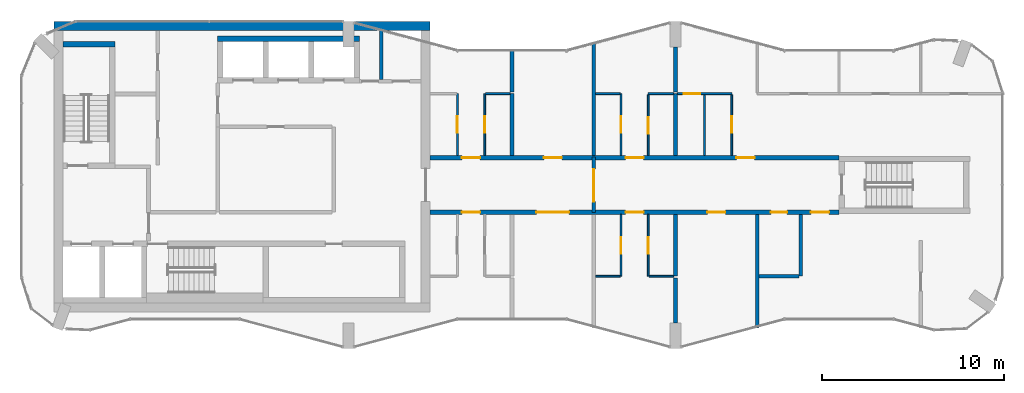
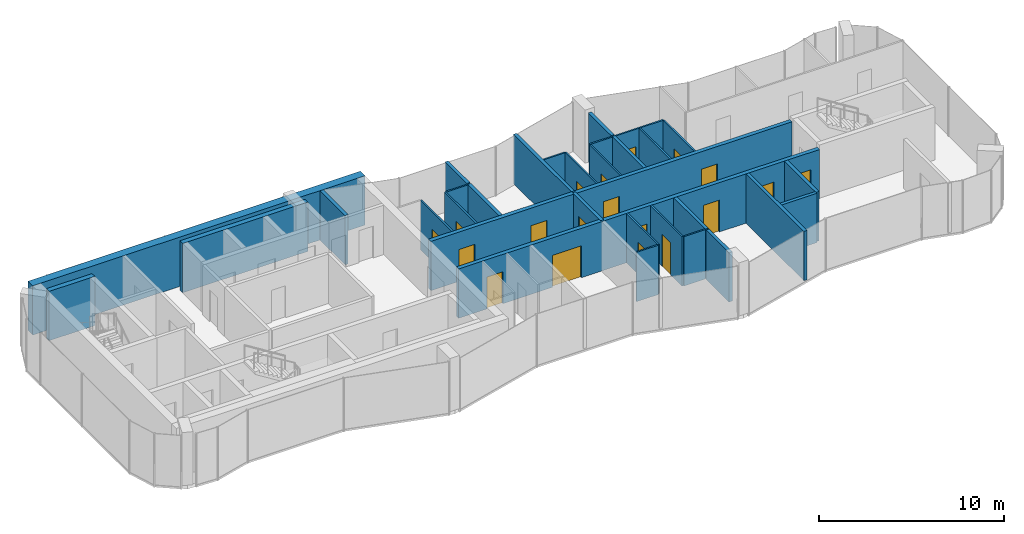
# One storey, part 8 of 10: 31 walls, 19 doors, 19 openings.
"""IFC4 building model written with IfcOpenShell, lengths in metres."""

from ifc_helpers import new_model, si_unit, direction, frame, frame_2d, origin, place, context, subcontext, project, spatial, rectangle, extrude, material, layer, layer_set, type_object, element, fill, save


model = new_model("IFC4")

# Units and contexts
model_context = context("Model", 3, precision=1e-05, world=origin(), true_north=direction((0.0, 1.0)))
body_context = subcontext(model_context, "Body", "Model", "MODEL_VIEW")
ifc_project = project(units=[si_unit("LENGTHUNIT", "METRE"), si_unit("AREAUNIT", "SQUARE_METRE"), si_unit("VOLUMEUNIT", "CUBIC_METRE"), si_unit("PLANEANGLEUNIT", "RADIAN"), si_unit("MASSUNIT", "GRAM", prefix="KILO")], contexts=[model_context])

# Site, building, storey
site_placement = place(None, origin())
site = spatial("IfcSite", under=ifc_project, at=site_placement, CompositionType="ELEMENT")
building_placement = place(site_placement, origin())
building = spatial("IfcBuilding", under=site, at=building_placement, Name="Plateau Cross Towers", CompositionType="ELEMENT")
storey_placement = place(building_placement, frame((0.0, 0.0, 252.89990234375)))
storey = spatial("IfcBuildingStorey", under=building, at=storey_placement, Name="L66", CompositionType="ELEMENT", Elevation=252.89990234375)

# Walls
ifc_material_1 = material(Name="Concrete block, plastered both sides", Category="concrete")
ifc_layer_1 = layer(ifc_material_1, 0.199951171875)
ifc_layer_set_1 = layer_set([ifc_layer_1], Name="Concrete block, plastered both sides")
wall_type_1 = type_object("IfcWallType", Name="Core partition 200", PredefinedType="PARTITIONING", material=ifc_layer_set_1)
wall_1_placement = place(storey_placement, frame((19.800048828125, 14.800048828125, 0.0), z_axis=(0.0, 0.0, 1.0), x_axis=(0.0, 1.0, 0.0)))
element("IfcWall", 1, at=wall_1_placement, inside=storey, type_object=wall_type_1, Name="Core partition", PredefinedType="PARTITIONING", context=body_context, shape_type="SweptSolid", body=[
    extrude(rectangle(XDim=2.699951171875, YDim=0.199951171875, at=frame_2d((1.35009765625, 0.0))), origin(), (0.0, 0.0, 1.0), 3.25),
])
ifc_material_2 = material(Name="Concrete C60/75", Category="concrete")
ifc_layer_2 = layer(ifc_material_2, 0.300048828125)
ifc_layer_set_2 = layer_set([ifc_layer_2], Name="Concrete C60/75")
wall_type_2 = type_object("IfcWallType", Name="Core shaft wall 300", PredefinedType="SHEAR", material=ifc_layer_set_2)
wall_2_placement = place(storey_placement, frame((2.300048828125, 16.75, 0.0), z_axis=(0.0, 0.0, 1.0), x_axis=(1.0, 0.0, 0.0)))
element("IfcWall", 2, at=wall_2_placement, inside=storey, type_object=wall_type_2, Name="A-st1-N@L66", PredefinedType="SHEAR", context=body_context, shape_type="SweptSolid", body=[
    extrude(rectangle(XDim=2.849853515625, YDim=0.300048828125, at=frame_2d((1.4248046875, 0.0))), origin(), (0.0, 0.0, 1.0), 3.25),
])
wall_3_placement = place(storey_placement, frame((10.800048828125, 17.050048828125, 0.0), z_axis=(0.0, 0.0, 1.0), x_axis=(1.0, 0.0, 0.0)))
element("IfcWall", 3, at=wall_3_placement, inside=storey, type_object=wall_type_2, Name="A-nb-back@L66", PredefinedType="SHEAR", context=body_context, shape_type="SweptSolid", body=[
    extrude(rectangle(XDim=7.800048828125, YDim=0.300048828125, at=frame_2d((3.89990234375, 0.0))), origin(), (0.0, 0.0, 1.0), 3.25),
])
ifc_layer_3 = layer(ifc_material_2, 0.5)
ifc_layer_set_3 = layer_set([ifc_layer_3], Name="Concrete C60/75")
wall_type_3 = type_object("IfcWallType", Name="Core shell wall 500", PredefinedType="SHEAR", material=ifc_layer_set_3)
wall_4_placement = place(storey_placement, frame((1.800048828125, 17.75, 0.0), z_axis=(0.0, 0.0, 1.0), x_axis=(1.0, 0.0, 0.0)))
element("IfcWall", 4, at=wall_4_placement, inside=storey, type_object=wall_type_3, Name="A-core-N@L66", PredefinedType="SHEAR", context=body_context, shape_type="SweptSolid", body=[
    extrude(rectangle(XDim=20.699951171875, YDim=0.5, at=frame_2d((10.35009765625, 0.0))), origin(), (0.0, 0.0, 1.0), 3.25),
])

# Wall, openings, doors
ifc_layer_4 = layer(ifc_material_2, 0.25)
ifc_layer_set_4 = layer_set([ifc_layer_4], Name="Concrete C60/75")
wall_type_4 = type_object("IfcWallType", Name="Corridor wall 250", PredefinedType="SHEAR", material=ifc_layer_set_4)
wall_5_placement = place(storey_placement, frame((22.5, 7.5, 0.0), z_axis=(0.0, 0.0, 1.0), x_axis=(1.0, 0.0, 0.0)))
wall_5 = element("IfcWall", 5, at=wall_5_placement, inside=storey, type_object=wall_type_4, Name="A-cw-S1@L66", PredefinedType="SHEAR", context=body_context, shape_type="SweptSolid", body=[
    extrude(rectangle(XDim=22.5, YDim=0.25, at=frame_2d((11.25, 0.0))), origin(), (0.0, 0.0, 1.0), 3.25),
])
opening_1_placement = place(wall_5_placement, frame((1.75, 0.0, 0.0)))
opening_1 = element("IfcOpeningElement", 6, at=opening_1_placement, cuts=wall_5, Name="Opening 66-01", PredefinedType="OPENING", context=body_context, shape_type="SweptSolid", body=[
    extrude(rectangle(XDim=1.0, YDim=2.10009765625, at=frame_2d((0.5, 1.050048828125))), frame((0.0, 0.135009765625, 0.0), z_axis=(0.0, -1.0, 0.0), x_axis=(1.0, 0.0, 0.0)), (0.0, 0.0, 1.0), 0.27001953125),
])
opening_2_placement = place(wall_5_placement, frame((5.85009765625, 0.0, 0.0)))
opening_2 = element("IfcOpeningElement", 7, at=opening_2_placement, cuts=wall_5, Name="Opening 66-02", PredefinedType="OPENING", context=body_context, shape_type="SweptSolid", body=[
    extrude(rectangle(XDim=1.800048828125, YDim=2.10009765625, at=frame_2d((0.89990234375, 1.050048828125))), frame((0.0, 0.135009765625, 0.0), z_axis=(0.0, -1.0, 0.0), x_axis=(1.0, 0.0, 0.0)), (0.0, 0.0, 1.0), 0.27001953125),
])
opening_3_placement = place(wall_5_placement, frame((10.75, 0.0, 0.0)))
opening_3 = element("IfcOpeningElement", 8, at=opening_3_placement, cuts=wall_5, Name="Opening 66-03", PredefinedType="OPENING", context=body_context, shape_type="SweptSolid", body=[
    extrude(rectangle(XDim=1.0, YDim=2.10009765625, at=frame_2d((0.5, 1.050048828125))), frame((0.0, 0.135009765625, 0.0), z_axis=(0.0, -1.0, 0.0), x_axis=(1.0, 0.0, 0.0)), (0.0, 0.0, 1.0), 0.27001953125),
])
opening_4_placement = place(wall_5_placement, frame((15.25, 0.0, 0.0)))
opening_4 = element("IfcOpeningElement", 9, at=opening_4_placement, cuts=wall_5, Name="Opening 66-04", PredefinedType="OPENING", context=body_context, shape_type="SweptSolid", body=[
    extrude(rectangle(XDim=1.0, YDim=2.10009765625, at=frame_2d((0.5, 1.050048828125))), frame((0.0, 0.135009765625, 0.0), z_axis=(0.0, -1.0, 0.0), x_axis=(1.0, 0.0, 0.0)), (0.0, 0.0, 1.0), 0.27001953125),
])
opening_5_placement = place(wall_5_placement, frame((18.75, 0.0, 0.0)))
opening_5 = element("IfcOpeningElement", 10, at=opening_5_placement, cuts=wall_5, Name="Opening 66-05", PredefinedType="OPENING", context=body_context, shape_type="SweptSolid", body=[
    extrude(rectangle(XDim=0.89990234375, YDim=2.10009765625, at=frame_2d((0.449951171875, 1.050048828125))), frame((0.0, 0.135009765625, 0.0), z_axis=(0.0, -1.0, 0.0), x_axis=(1.0, 0.0, 0.0)), (0.0, 0.0, 1.0), 0.27001953125),
])
opening_6_placement = place(wall_5_placement, frame((20.949951171875, 0.0, 0.0)))
opening_6 = element("IfcOpeningElement", 11, at=opening_6_placement, cuts=wall_5, Name="Opening 66-06", PredefinedType="OPENING", context=body_context, shape_type="SweptSolid", body=[
    extrude(rectangle(XDim=1.0, YDim=2.10009765625, at=frame_2d((0.5, 1.050048828125))), frame((0.0, 0.135009765625, 0.0), z_axis=(0.0, -1.0, 0.0), x_axis=(1.0, 0.0, 0.0)), (0.0, 0.0, 1.0), 0.27001953125),
])
ifc_material_3 = material(Name="Timber, fire-resisting leaf", Category="wood")
door_type_1 = type_object("IfcDoorType", Name="Flat entrance door 1000", OperationType="NOTDEFINED", PredefinedType="DOOR", material=ifc_material_3)
door_1_placement = place(opening_1_placement, origin())
door_1 = element("IfcDoor", 12, at=door_1_placement, inside=storey, type_object=door_type_1, Name="Door 66-01", OperationType="SINGLE_SWING_LEFT", OverallHeight=2.10009765625, OverallWidth=1.0, PredefinedType="DOOR", context=body_context, shape_type="SweptSolid", body=[
    extrude(rectangle(XDim=1.0, YDim=2.10009765625, at=frame_2d((0.5, 1.050048828125))), frame((0.0, 0.02490234375, 0.0), z_axis=(0.0, -1.0, 0.0), x_axis=(1.0, 0.0, 0.0)), (0.0, 0.0, 1.0), 0.050048828125),
])
fill(opening_1, door_1)
door_2_placement = place(opening_3_placement, origin())
door_2 = element("IfcDoor", 13, at=door_2_placement, inside=storey, type_object=door_type_1, Name="Door 66-03", OperationType="SINGLE_SWING_LEFT", OverallHeight=2.10009765625, OverallWidth=1.0, PredefinedType="DOOR", context=body_context, shape_type="SweptSolid", body=[
    extrude(rectangle(XDim=1.0, YDim=2.10009765625, at=frame_2d((0.5, 1.050048828125))), frame((0.0, 0.02490234375, 0.0), z_axis=(0.0, -1.0, 0.0), x_axis=(1.0, 0.0, 0.0)), (0.0, 0.0, 1.0), 0.050048828125),
])
fill(opening_3, door_2)
door_3_placement = place(opening_4_placement, origin())
door_3 = element("IfcDoor", 14, at=door_3_placement, inside=storey, type_object=door_type_1, Name="Door 66-04", OperationType="SINGLE_SWING_RIGHT", OverallHeight=2.10009765625, OverallWidth=1.0, PredefinedType="DOOR", context=body_context, shape_type="SweptSolid", body=[
    extrude(rectangle(XDim=1.0, YDim=2.10009765625, at=frame_2d((0.5, 1.050048828125))), frame((0.0, 0.02490234375, 0.0), z_axis=(0.0, -1.0, 0.0), x_axis=(1.0, 0.0, 0.0)), (0.0, 0.0, 1.0), 0.050048828125),
])
fill(opening_4, door_3)
door_4_placement = place(opening_6_placement, origin())
door_4 = element("IfcDoor", 15, at=door_4_placement, inside=storey, type_object=door_type_1, Name="Door 66-06", OperationType="SINGLE_SWING_RIGHT", OverallHeight=2.10009765625, OverallWidth=1.0, PredefinedType="DOOR", context=body_context, shape_type="SweptSolid", body=[
    extrude(rectangle(XDim=1.0, YDim=2.10009765625, at=frame_2d((0.5, 1.050048828125))), frame((0.0, 0.02490234375, 0.0), z_axis=(0.0, -1.0, 0.0), x_axis=(1.0, 0.0, 0.0)), (0.0, 0.0, 1.0), 0.050048828125),
])
fill(opening_6, door_4)
ifc_material_4 = material(Name="Timber, fire-resisting leaves", Category="wood")
door_type_2 = type_object("IfcDoorType", Name="Flat floor fire door pair 1800", OperationType="NOTDEFINED", PredefinedType="DOOR", material=ifc_material_4)
door_5_placement = place(opening_2_placement, origin())
door_5 = element("IfcDoor", 16, at=door_5_placement, inside=storey, type_object=door_type_2, Name="Door 66-02", OperationType="SINGLE_SWING_LEFT", OverallHeight=2.10009765625, OverallWidth=1.800048828125, PredefinedType="DOOR", context=body_context, shape_type="SweptSolid", body=[
    extrude(rectangle(XDim=1.800048828125, YDim=2.10009765625, at=frame_2d((0.89990234375, 1.050048828125))), frame((0.0, 0.02490234375, 0.0), z_axis=(0.0, -1.0, 0.0), x_axis=(1.0, 0.0, 0.0)), (0.0, 0.0, 1.0), 0.050048828125),
])
fill(opening_2, door_5)
door_type_3 = type_object("IfcDoorType", Name="Flat floor service door 900", OperationType="NOTDEFINED", PredefinedType="DOOR", material=ifc_material_3)
door_6_placement = place(opening_5_placement, origin())
door_6 = element("IfcDoor", 17, at=door_6_placement, inside=storey, type_object=door_type_3, Name="Door 66-05", OperationType="SINGLE_SWING_RIGHT", OverallHeight=2.10009765625, OverallWidth=0.89990234375, PredefinedType="DOOR", context=body_context, shape_type="SweptSolid", body=[
    extrude(rectangle(XDim=0.89990234375, YDim=2.10009765625, at=frame_2d((0.449951171875, 1.050048828125))), frame((0.0, 0.02490234375, 0.0), z_axis=(0.0, -1.0, 0.0), x_axis=(1.0, 0.0, 0.0)), (0.0, 0.0, 1.0), 0.050048828125),
])
fill(opening_5, door_6)

wall_6_placement = place(storey_placement, frame((22.5, 10.5, 0.0), z_axis=(0.0, 0.0, 1.0), x_axis=(1.0, 0.0, 0.0)))
wall_6 = element("IfcWall", 18, at=wall_6_placement, inside=storey, type_object=wall_type_4, Name="A-cw-S2@L66", PredefinedType="SHEAR", context=body_context, shape_type="SweptSolid", body=[
    extrude(rectangle(XDim=22.5, YDim=0.25, at=frame_2d((11.25, 0.0))), origin(), (0.0, 0.0, 1.0), 3.25),
])
opening_7_placement = place(wall_6_placement, frame((1.75, 0.0, 0.0)))
opening_7 = element("IfcOpeningElement", 19, at=opening_7_placement, cuts=wall_6, Name="Opening 66-07", PredefinedType="OPENING", context=body_context, shape_type="SweptSolid", body=[
    extrude(rectangle(XDim=1.0, YDim=2.10009765625, at=frame_2d((0.5, 1.050048828125))), frame((0.0, 0.135009765625, 0.0), z_axis=(0.0, -1.0, 0.0), x_axis=(1.0, 0.0, 0.0)), (0.0, 0.0, 1.0), 0.27001953125),
])
opening_8_placement = place(wall_6_placement, frame((6.25, 0.0, 0.0)))
opening_8 = element("IfcOpeningElement", 20, at=opening_8_placement, cuts=wall_6, Name="Opening 66-08", PredefinedType="OPENING", context=body_context, shape_type="SweptSolid", body=[
    extrude(rectangle(XDim=1.0, YDim=2.10009765625, at=frame_2d((0.5, 1.050048828125))), frame((0.0, 0.135009765625, 0.0), z_axis=(0.0, -1.0, 0.0), x_axis=(1.0, 0.0, 0.0)), (0.0, 0.0, 1.0), 0.27001953125),
])
opening_9_placement = place(wall_6_placement, frame((10.75, 0.0, 0.0)))
opening_9 = element("IfcOpeningElement", 21, at=opening_9_placement, cuts=wall_6, Name="Opening 66-09", PredefinedType="OPENING", context=body_context, shape_type="SweptSolid", body=[
    extrude(rectangle(XDim=1.0, YDim=2.10009765625, at=frame_2d((0.5, 1.050048828125))), frame((0.0, 0.135009765625, 0.0), z_axis=(0.0, -1.0, 0.0), x_axis=(1.0, 0.0, 0.0)), (0.0, 0.0, 1.0), 0.27001953125),
])
opening_10_placement = place(wall_6_placement, frame((16.85009765625, 0.0, 0.0)))
opening_10 = element("IfcOpeningElement", 22, at=opening_10_placement, cuts=wall_6, Name="Opening 66-10", PredefinedType="OPENING", context=body_context, shape_type="SweptSolid", body=[
    extrude(rectangle(XDim=1.0, YDim=2.10009765625, at=frame_2d((0.5, 1.050048828125))), frame((0.0, 0.135009765625, 0.0), z_axis=(0.0, -1.0, 0.0), x_axis=(1.0, 0.0, 0.0)), (0.0, 0.0, 1.0), 0.27001953125),
])
door_7_placement = place(opening_7_placement, origin())
door_7 = element("IfcDoor", 23, at=door_7_placement, inside=storey, type_object=door_type_1, Name="Door 66-07", OperationType="SINGLE_SWING_LEFT", OverallHeight=2.10009765625, OverallWidth=1.0, PredefinedType="DOOR", context=body_context, shape_type="SweptSolid", body=[
    extrude(rectangle(XDim=1.0, YDim=2.10009765625, at=frame_2d((0.5, 1.050048828125))), frame((0.0, 0.02490234375, 0.0), z_axis=(0.0, -1.0, 0.0), x_axis=(1.0, 0.0, 0.0)), (0.0, 0.0, 1.0), 0.050048828125),
])
fill(opening_7, door_7)
door_8_placement = place(opening_8_placement, origin())
door_8 = element("IfcDoor", 24, at=door_8_placement, inside=storey, type_object=door_type_1, Name="Door 66-08", OperationType="SINGLE_SWING_LEFT", OverallHeight=2.10009765625, OverallWidth=1.0, PredefinedType="DOOR", context=body_context, shape_type="SweptSolid", body=[
    extrude(rectangle(XDim=1.0, YDim=2.10009765625, at=frame_2d((0.5, 1.050048828125))), frame((0.0, 0.02490234375, 0.0), z_axis=(0.0, -1.0, 0.0), x_axis=(1.0, 0.0, 0.0)), (0.0, 0.0, 1.0), 0.050048828125),
])
fill(opening_8, door_8)
door_9_placement = place(opening_9_placement, origin())
door_9 = element("IfcDoor", 25, at=door_9_placement, inside=storey, type_object=door_type_1, Name="Door 66-09", OperationType="SINGLE_SWING_LEFT", OverallHeight=2.10009765625, OverallWidth=1.0, PredefinedType="DOOR", context=body_context, shape_type="SweptSolid", body=[
    extrude(rectangle(XDim=1.0, YDim=2.10009765625, at=frame_2d((0.5, 1.050048828125))), frame((0.0, 0.02490234375, 0.0), z_axis=(0.0, -1.0, 0.0), x_axis=(1.0, 0.0, 0.0)), (0.0, 0.0, 1.0), 0.050048828125),
])
fill(opening_9, door_9)
door_10_placement = place(opening_10_placement, origin())
door_10 = element("IfcDoor", 26, at=door_10_placement, inside=storey, type_object=door_type_1, Name="Door 66-10", OperationType="SINGLE_SWING_RIGHT", OverallHeight=2.10009765625, OverallWidth=1.0, PredefinedType="DOOR", context=body_context, shape_type="SweptSolid", body=[
    extrude(rectangle(XDim=1.0, YDim=2.10009765625, at=frame_2d((0.5, 1.050048828125))), frame((0.0, 0.02490234375, 0.0), z_axis=(0.0, -1.0, 0.0), x_axis=(1.0, 0.0, 0.0)), (0.0, 0.0, 1.0), 0.050048828125),
])
fill(opening_10, door_10)

# Walls
ifc_material_5 = material(Name="Gypsum board on steel studs", Category="steel")
ifc_layer_5 = layer(ifc_material_5, 0.10009765625)
ifc_layer_set_5 = layer_set([ifc_layer_5], Name="Gypsum board on steel studs")
wall_type_5 = type_object("IfcWallType", Name="Flat partition 100", PredefinedType="PARTITIONING", material=ifc_layer_set_5)
for number, where, z_axis, x_axis, name in (
    (27, (31.60009765625, 3.97509765625, 0.0), (0.0, 0.0, 1.0), (1.0, 0.0, 0.0), "Partition wall"),
    (28, (34.550048828125, 3.97509765625, 0.0), (0.0, 0.0, 1.0), (1.0, 0.0, 0.0), "Partition wall"),
    (29, (26.89990234375, 14.02490234375, 0.0), (0.0, 0.0, 1.0), (-1.0, 0.0, 0.0), "Partition wall"),
    (30, (32.949951171875, 14.02490234375, 0.0), (0.0, 0.0, 1.0), (-1.0, 0.0, 0.0), "Partition wall"),
):
    element("IfcWall", number, at=place(storey_placement, frame(where, z_axis=z_axis, x_axis=x_axis)), inside=storey, type_object=wall_type_5, Name=name, PredefinedType="PARTITIONING", context=body_context, shape_type="SweptSolid", body=[
        extrude(rectangle(XDim=1.349853515625, YDim=0.10009765625, at=frame_2d((0.6748046875, 0.0))), origin(), (0.0, 0.0, 1.0), 3.25),
    ])
wall_7_placement = place(storey_placement, frame((35.89990234375, 14.02490234375, 0.0), z_axis=(0.0, 0.0, 1.0), x_axis=(-1.0, 0.0, 0.0)))
element("IfcWall", 31, at=wall_7_placement, inside=storey, type_object=wall_type_5, Name="Partition wall", PredefinedType="PARTITIONING", context=body_context, shape_type="SweptSolid", body=[
    extrude(rectangle(XDim=1.39990234375, YDim=0.10009765625, at=frame_2d((0.699951171875, 0.0))), origin(), (0.0, 0.0, 1.0), 3.25),
])

# Wall, opening, door
wall_8_placement = place(storey_placement, frame((39.10009765625, 14.02490234375, 0.0), z_axis=(0.0, 0.0, 1.0), x_axis=(-1.0, 0.0, 0.0)))
wall_8 = element("IfcWall", 32, at=wall_8_placement, inside=storey, type_object=wall_type_5, Name="Partition wall", PredefinedType="PARTITIONING", context=body_context, shape_type="SweptSolid", body=[
    extrude(rectangle(XDim=3.0, YDim=0.10009765625, at=frame_2d((1.5, 0.0))), origin(), (0.0, 0.0, 1.0), 3.25),
])
opening_11_placement = place(wall_8_placement, frame((1.75, 0.0, 0.0)))
opening_11 = element("IfcOpeningElement", 33, at=opening_11_placement, cuts=wall_8, Name="Opening 66-21", PredefinedType="OPENING", context=body_context, shape_type="SweptSolid", body=[
    extrude(rectangle(XDim=0.89990234375, YDim=2.10009765625, at=frame_2d((0.449951171875, 1.050048828125))), frame((0.0, 0.06005859375, 0.0), z_axis=(0.0, -1.0, 0.0), x_axis=(1.0, 0.0, 0.0)), (0.0, 0.0, 1.0), 0.1201171875),
])
ifc_material_6 = material(Name="Timber leaf", Category="wood")
door_type_4 = type_object("IfcDoorType", Name="Flat room door 900", OperationType="NOTDEFINED", PredefinedType="DOOR", material=ifc_material_6)
door_11_placement = place(opening_11_placement, origin())
door_11 = element("IfcDoor", 34, at=door_11_placement, inside=storey, type_object=door_type_4, Name="Door 66-21", OperationType="SINGLE_SWING_RIGHT", OverallHeight=2.10009765625, OverallWidth=0.89990234375, PredefinedType="DOOR", context=body_context, shape_type="SweptSolid", body=[
    extrude(rectangle(XDim=0.89990234375, YDim=2.10009765625, at=frame_2d((0.449951171875, 1.050048828125))), frame((0.0, 0.02490234375, 0.0), z_axis=(0.0, -1.0, 0.0), x_axis=(1.0, 0.0, 0.0)), (0.0, 0.0, 1.0), 0.050048828125),
])
fill(opening_11, door_11)

wall_9_placement = place(storey_placement, frame((24.0, 10.625, 0.0), z_axis=(0.0, 0.0, 1.0), x_axis=(0.0, 1.0, 0.0)))
wall_9 = element("IfcWall", 35, at=wall_9_placement, inside=storey, type_object=wall_type_5, Name="Partition wall", PredefinedType="PARTITIONING", context=body_context, shape_type="SweptSolid", body=[
    extrude(rectangle(XDim=3.39990234375, YDim=0.10009765625, at=frame_2d((1.699951171875, 0.0))), origin(), (0.0, 0.0, 1.0), 3.25),
])
opening_12_placement = place(wall_9_placement, frame((1.25, 0.0, 0.0)))
opening_12 = element("IfcOpeningElement", 36, at=opening_12_placement, cuts=wall_9, Name="Opening 66-17", PredefinedType="OPENING", context=body_context, shape_type="SweptSolid", body=[
    extrude(rectangle(XDim=0.89990234375, YDim=2.10009765625, at=frame_2d((0.449951171875, 1.050048828125))), frame((0.0, 0.06005859375, 0.0), z_axis=(0.0, -1.0, 0.0), x_axis=(1.0, 0.0, 0.0)), (0.0, 0.0, 1.0), 0.1201171875),
])
door_12_placement = place(opening_12_placement, origin())
door_12 = element("IfcDoor", 37, at=door_12_placement, inside=storey, type_object=door_type_4, Name="Door 66-17", OperationType="SINGLE_SWING_LEFT", OverallHeight=2.10009765625, OverallWidth=0.89990234375, PredefinedType="DOOR", context=body_context, shape_type="SweptSolid", body=[
    extrude(rectangle(XDim=0.89990234375, YDim=2.10009765625, at=frame_2d((0.449951171875, 1.050048828125))), frame((0.0, 0.02490234375, 0.0), z_axis=(0.0, -1.0, 0.0), x_axis=(1.0, 0.0, 0.0)), (0.0, 0.0, 1.0), 0.050048828125),
])
fill(opening_12, door_12)

wall_10_placement = place(storey_placement, frame((25.5, 14.02490234375, 0.0), z_axis=(0.0, 0.0, 1.0), x_axis=(0.0, -1.0, 0.0)))
wall_10 = element("IfcWall", 38, at=wall_10_placement, inside=storey, type_object=wall_type_5, Name="Partition wall", PredefinedType="PARTITIONING", context=body_context, shape_type="SweptSolid", body=[
    extrude(rectangle(XDim=3.39990234375, YDim=0.10009765625, at=frame_2d((1.699951171875, 0.0))), origin(), (0.0, 0.0, 1.0), 3.25),
])
opening_13_placement = place(wall_10_placement, frame((1.25, 0.0, 0.0)))
opening_13 = element("IfcOpeningElement", 39, at=opening_13_placement, cuts=wall_10, Name="Opening 66-18", PredefinedType="OPENING", context=body_context, shape_type="SweptSolid", body=[
    extrude(rectangle(XDim=0.89990234375, YDim=2.10009765625, at=frame_2d((0.449951171875, 1.050048828125))), frame((0.0, 0.06005859375, 0.0), z_axis=(0.0, -1.0, 0.0), x_axis=(1.0, 0.0, 0.0)), (0.0, 0.0, 1.0), 0.1201171875),
])
door_13_placement = place(opening_13_placement, origin())
door_13 = element("IfcDoor", 40, at=door_13_placement, inside=storey, type_object=door_type_4, Name="Door 66-18", OperationType="SINGLE_SWING_LEFT", OverallHeight=2.10009765625, OverallWidth=0.89990234375, PredefinedType="DOOR", context=body_context, shape_type="SweptSolid", body=[
    extrude(rectangle(XDim=0.89990234375, YDim=2.10009765625, at=frame_2d((0.449951171875, 1.050048828125))), frame((0.0, 0.02490234375, 0.0), z_axis=(0.0, -1.0, 0.0), x_axis=(1.0, 0.0, 0.0)), (0.0, 0.0, 1.0), 0.050048828125),
])
fill(opening_13, door_13)

wall_11_placement = place(storey_placement, frame((33.0, 3.97509765625, 0.0), z_axis=(0.0, 0.0, 1.0), x_axis=(0.0, 1.0, 0.0)))
wall_11 = element("IfcWall", 41, at=wall_11_placement, inside=storey, type_object=wall_type_5, Name="Partition wall", PredefinedType="PARTITIONING", context=body_context, shape_type="SweptSolid", body=[
    extrude(rectangle(XDim=3.39990234375, YDim=0.10009765625, at=frame_2d((1.699951171875, 0.0))), origin(), (0.0, 0.0, 1.0), 3.25),
])
opening_14_placement = place(wall_11_placement, frame((1.25, 0.0, 0.0)))
opening_14 = element("IfcOpeningElement", 42, at=opening_14_placement, cuts=wall_11, Name="Opening 66-15", PredefinedType="OPENING", context=body_context, shape_type="SweptSolid", body=[
    extrude(rectangle(XDim=0.89990234375, YDim=2.10009765625, at=frame_2d((0.449951171875, 1.050048828125))), frame((0.0, 0.06005859375, 0.0), z_axis=(0.0, -1.0, 0.0), x_axis=(1.0, 0.0, 0.0)), (0.0, 0.0, 1.0), 0.1201171875),
])
door_14_placement = place(opening_14_placement, origin())
door_14 = element("IfcDoor", 43, at=door_14_placement, inside=storey, type_object=door_type_4, Name="Door 66-15", OperationType="SINGLE_SWING_LEFT", OverallHeight=2.10009765625, OverallWidth=0.89990234375, PredefinedType="DOOR", context=body_context, shape_type="SweptSolid", body=[
    extrude(rectangle(XDim=0.89990234375, YDim=2.10009765625, at=frame_2d((0.449951171875, 1.050048828125))), frame((0.0, 0.02490234375, 0.0), z_axis=(0.0, -1.0, 0.0), x_axis=(1.0, 0.0, 0.0)), (0.0, 0.0, 1.0), 0.050048828125),
])
fill(opening_14, door_14)

wall_12_placement = place(storey_placement, frame((33.0, 10.625, 0.0), z_axis=(0.0, 0.0, 1.0), x_axis=(0.0, 1.0, 0.0)))
wall_12 = element("IfcWall", 44, at=wall_12_placement, inside=storey, type_object=wall_type_5, Name="Partition wall", PredefinedType="PARTITIONING", context=body_context, shape_type="SweptSolid", body=[
    extrude(rectangle(XDim=3.39990234375, YDim=0.10009765625, at=frame_2d((1.699951171875, 0.0))), origin(), (0.0, 0.0, 1.0), 3.25),
])
opening_15_placement = place(wall_12_placement, frame((1.25, 0.0, 0.0)))
opening_15 = element("IfcOpeningElement", 45, at=opening_15_placement, cuts=wall_12, Name="Opening 66-19", PredefinedType="OPENING", context=body_context, shape_type="SweptSolid", body=[
    extrude(rectangle(XDim=0.89990234375, YDim=2.10009765625, at=frame_2d((0.449951171875, 1.050048828125))), frame((0.0, 0.06005859375, 0.0), z_axis=(0.0, -1.0, 0.0), x_axis=(1.0, 0.0, 0.0)), (0.0, 0.0, 1.0), 0.1201171875),
])
door_15_placement = place(opening_15_placement, origin())
door_15 = element("IfcDoor", 46, at=door_15_placement, inside=storey, type_object=door_type_4, Name="Door 66-19", OperationType="SINGLE_SWING_LEFT", OverallHeight=2.10009765625, OverallWidth=0.89990234375, PredefinedType="DOOR", context=body_context, shape_type="SweptSolid", body=[
    extrude(rectangle(XDim=0.89990234375, YDim=2.10009765625, at=frame_2d((0.449951171875, 1.050048828125))), frame((0.0, 0.02490234375, 0.0), z_axis=(0.0, -1.0, 0.0), x_axis=(1.0, 0.0, 0.0)), (0.0, 0.0, 1.0), 0.050048828125),
])
fill(opening_15, door_15)

wall_13_placement = place(storey_placement, frame((34.5, 7.375, 0.0), z_axis=(0.0, 0.0, 1.0), x_axis=(0.0, -1.0, 0.0)))
wall_13 = element("IfcWall", 47, at=wall_13_placement, inside=storey, type_object=wall_type_5, Name="Partition wall", PredefinedType="PARTITIONING", context=body_context, shape_type="SweptSolid", body=[
    extrude(rectangle(XDim=3.39990234375, YDim=0.10009765625, at=frame_2d((1.699951171875, 0.0))), origin(), (0.0, 0.0, 1.0), 3.25),
])
opening_16_placement = place(wall_13_placement, frame((1.25, 0.0, 0.0)))
opening_16 = element("IfcOpeningElement", 48, at=opening_16_placement, cuts=wall_13, Name="Opening 66-16", PredefinedType="OPENING", context=body_context, shape_type="SweptSolid", body=[
    extrude(rectangle(XDim=0.89990234375, YDim=2.10009765625, at=frame_2d((0.449951171875, 1.050048828125))), frame((0.0, 0.06005859375, 0.0), z_axis=(0.0, -1.0, 0.0), x_axis=(1.0, 0.0, 0.0)), (0.0, 0.0, 1.0), 0.1201171875),
])
door_16_placement = place(opening_16_placement, origin())
door_16 = element("IfcDoor", 49, at=door_16_placement, inside=storey, type_object=door_type_4, Name="Door 66-16", OperationType="SINGLE_SWING_LEFT", OverallHeight=2.10009765625, OverallWidth=0.89990234375, PredefinedType="DOOR", context=body_context, shape_type="SweptSolid", body=[
    extrude(rectangle(XDim=0.89990234375, YDim=2.10009765625, at=frame_2d((0.449951171875, 1.050048828125))), frame((0.0, 0.02490234375, 0.0), z_axis=(0.0, -1.0, 0.0), x_axis=(1.0, 0.0, 0.0)), (0.0, 0.0, 1.0), 0.050048828125),
])
fill(opening_16, door_16)

wall_14_placement = place(storey_placement, frame((34.5, 13.97509765625, 0.0), z_axis=(0.0, 0.0, 1.0), x_axis=(0.0, -1.0, 0.0)))
wall_14 = element("IfcWall", 50, at=wall_14_placement, inside=storey, type_object=wall_type_5, Name="Partition wall", PredefinedType="PARTITIONING", context=body_context, shape_type="SweptSolid", body=[
    extrude(rectangle(XDim=3.35009765625, YDim=0.10009765625, at=frame_2d((1.675048828125, 0.0))), origin(), (0.0, 0.0, 1.0), 3.25),
])
opening_17_placement = place(wall_14_placement, frame((1.25, 0.0, 0.0)))
opening_17 = element("IfcOpeningElement", 51, at=opening_17_placement, cuts=wall_14, Name="Opening 66-20", PredefinedType="OPENING", context=body_context, shape_type="SweptSolid", body=[
    extrude(rectangle(XDim=0.89990234375, YDim=2.10009765625, at=frame_2d((0.449951171875, 1.050048828125))), frame((0.0, 0.06005859375, 0.0), z_axis=(0.0, -1.0, 0.0), x_axis=(1.0, 0.0, 0.0)), (0.0, 0.0, 1.0), 0.1201171875),
])
door_17_placement = place(opening_17_placement, origin())
door_17 = element("IfcDoor", 52, at=door_17_placement, inside=storey, type_object=door_type_4, Name="Door 66-20", OperationType="SINGLE_SWING_RIGHT", OverallHeight=2.10009765625, OverallWidth=0.89990234375, PredefinedType="DOOR", context=body_context, shape_type="SweptSolid", body=[
    extrude(rectangle(XDim=0.89990234375, YDim=2.10009765625, at=frame_2d((0.449951171875, 1.050048828125))), frame((0.0, 0.02490234375, 0.0), z_axis=(0.0, -1.0, 0.0), x_axis=(1.0, 0.0, 0.0)), (0.0, 0.0, 1.0), 0.050048828125),
])
fill(opening_17, door_17)

# Wall
wall_15_placement = place(storey_placement, frame((37.60009765625, 10.625, 0.0), z_axis=(0.0, 0.0, 1.0), x_axis=(0.0, 1.0, 0.0)))
element("IfcWall", 53, at=wall_15_placement, inside=storey, type_object=wall_type_5, Name="Partition wall", PredefinedType="PARTITIONING", context=body_context, shape_type="SweptSolid", body=[
    extrude(rectangle(XDim=3.35009765625, YDim=0.10009765625, at=frame_2d((1.675048828125, 0.0))), origin(), (0.0, 0.0, 1.0), 3.25),
])

# Wall, opening, door
wall_16_placement = place(storey_placement, frame((39.10009765625, 10.625, 0.0), z_axis=(0.0, 0.0, 1.0), x_axis=(0.0, 1.0, 0.0)))
wall_16 = element("IfcWall", 54, at=wall_16_placement, inside=storey, type_object=wall_type_5, Name="Partition wall", PredefinedType="PARTITIONING", context=body_context, shape_type="SweptSolid", body=[
    extrude(rectangle(XDim=3.35009765625, YDim=0.10009765625, at=frame_2d((1.675048828125, 0.0))), origin(), (0.0, 0.0, 1.0), 3.25),
])
opening_18_placement = place(wall_16_placement, frame((1.25, 0.0, 0.0)))
opening_18 = element("IfcOpeningElement", 55, at=opening_18_placement, cuts=wall_16, Name="Opening 66-22", PredefinedType="OPENING", context=body_context, shape_type="SweptSolid", body=[
    extrude(rectangle(XDim=0.89990234375, YDim=2.10009765625, at=frame_2d((0.449951171875, 1.050048828125))), frame((0.0, 0.06005859375, 0.0), z_axis=(0.0, -1.0, 0.0), x_axis=(1.0, 0.0, 0.0)), (0.0, 0.0, 1.0), 0.1201171875),
])
door_18_placement = place(opening_18_placement, origin())
door_18 = element("IfcDoor", 56, at=door_18_placement, inside=storey, type_object=door_type_4, Name="Door 66-22", OperationType="SINGLE_SWING_RIGHT", OverallHeight=2.10009765625, OverallWidth=0.89990234375, PredefinedType="DOOR", context=body_context, shape_type="SweptSolid", body=[
    extrude(rectangle(XDim=0.89990234375, YDim=2.10009765625, at=frame_2d((0.449951171875, 1.050048828125))), frame((0.0, 0.02490234375, 0.0), z_axis=(0.0, -1.0, 0.0), x_axis=(1.0, 0.0, 0.0)), (0.0, 0.0, 1.0), 0.050048828125),
])
fill(opening_18, door_18)

# Walls
ifc_material_7 = material(Name="Gypsum board on steel studs, two layers each side", Category="steel")
ifc_layer_6 = layer(ifc_material_7, 0.199951171875)
ifc_layer_set_6 = layer_set([ifc_layer_6], Name="Gypsum board on steel studs, two layers each side")
wall_type_6 = type_object("IfcWallType", Name="Flat party wall 200", PredefinedType="PARTITIONING", material=ifc_layer_set_6)
wall_17_placement = place(storey_placement, frame((40.60009765625, 3.97509765625, 0.0), z_axis=(0.0, 0.0, 1.0), x_axis=(1.0, 0.0, 0.0)))
element("IfcWall", 57, at=wall_17_placement, inside=storey, type_object=wall_type_6, Name="Party wall", PredefinedType="PARTITIONING", context=body_context, shape_type="SweptSolid", body=[
    extrude(rectangle(XDim=2.199951171875, YDim=0.199951171875, at=frame_2d((1.10009765625, 0.0))), origin(), (0.0, 0.0, 1.0), 3.25),
])
wall_18_placement = place(storey_placement, frame((27.0, 16.47314453125, 0.0), z_axis=(0.0, 0.0, 1.0), x_axis=(0.0, -1.0, 0.0)))
element("IfcWall", 58, at=wall_18_placement, inside=storey, type_object=wall_type_6, Name="Party wall", PredefinedType="PARTITIONING", context=body_context, shape_type="SweptSolid", body=[
    extrude(rectangle(XDim=2.34814453125, YDim=0.199951171875, at=frame_2d((1.174072265625, 0.0))), origin(), (0.0, 0.0, 1.0), 3.25),
])
wall_19_placement = place(storey_placement, frame((27.0, 10.625, 0.0), z_axis=(0.0, 0.0, 1.0), x_axis=(0.0, 1.0, 0.0)))
element("IfcWall", 59, at=wall_19_placement, inside=storey, type_object=wall_type_6, Name="Party wall", PredefinedType="PARTITIONING", context=body_context, shape_type="SweptSolid", body=[
    extrude(rectangle(XDim=3.39990234375, YDim=0.199951171875, at=frame_2d((1.699951171875, 0.0))), origin(), (0.0, 0.0, 1.0), 3.25),
])
wall_20_placement = place(storey_placement, frame((31.5, 10.625, 0.0), z_axis=(0.0, 0.0, 1.0), x_axis=(0.0, 1.0, 0.0)))
element("IfcWall", 60, at=wall_20_placement, inside=storey, type_object=wall_type_6, Name="Party wall", PredefinedType="PARTITIONING", context=body_context, shape_type="SweptSolid", body=[
    extrude(rectangle(XDim=6.252685546875, YDim=0.199951171875, at=frame_2d((3.12646484375, 0.0))), origin(), (0.0, 0.0, 1.0), 3.25),
])
for number, where, z_axis, x_axis, name in (
    (61, (36.0, 3.875, 0.0), (0.0, 0.0, 1.0), (0.0, -1.0, 0.0), "Party wall"),
    (62, (36.0, 16.60009765625, 0.0), (0.0, 0.0, 1.0), (0.0, -1.0, 0.0), "Party wall"),
):
    element("IfcWall", number, at=place(storey_placement, frame(where, z_axis=z_axis, x_axis=x_axis)), inside=storey, type_object=wall_type_6, Name=name, PredefinedType="PARTITIONING", context=body_context, shape_type="SweptSolid", body=[
        extrude(rectangle(XDim=2.47509765625, YDim=0.199951171875, at=frame_2d((1.237548828125, 0.0))), origin(), (0.0, 0.0, 1.0), 3.25),
    ])
for number, where, z_axis, x_axis, name in (
    (63, (36.0, 3.97509765625, 0.0), (0.0, 0.0, 1.0), (0.0, 1.0, 0.0), "Party wall"),
    (64, (36.0, 10.625, 0.0), (0.0, 0.0, 1.0), (0.0, 1.0, 0.0), "Party wall"),
):
    element("IfcWall", number, at=place(storey_placement, frame(where, z_axis=z_axis, x_axis=x_axis)), inside=storey, type_object=wall_type_6, Name=name, PredefinedType="PARTITIONING", context=body_context, shape_type="SweptSolid", body=[
        extrude(rectangle(XDim=3.39990234375, YDim=0.199951171875, at=frame_2d((1.699951171875, 0.0))), origin(), (0.0, 0.0, 1.0), 3.25),
    ])
wall_21_placement = place(storey_placement, frame((40.5, 1.122314453125, 0.0), z_axis=(0.0, 0.0, 1.0), x_axis=(0.0, 1.0, 0.0)))
element("IfcWall", 65, at=wall_21_placement, inside=storey, type_object=wall_type_6, Name="Party wall", PredefinedType="PARTITIONING", context=body_context, shape_type="SweptSolid", body=[
    extrude(rectangle(XDim=6.252685546875, YDim=0.199951171875, at=frame_2d((3.12646484375, 0.0))), origin(), (0.0, 0.0, 1.0), 3.25),
])
wall_22_placement = place(storey_placement, frame((42.89990234375, 3.97509765625, 0.0), z_axis=(0.0, 0.0, 1.0), x_axis=(0.0, 1.0, 0.0)))
element("IfcWall", 66, at=wall_22_placement, inside=storey, type_object=wall_type_6, Name="Party wall", PredefinedType="PARTITIONING", context=body_context, shape_type="SweptSolid", body=[
    extrude(rectangle(XDim=3.39990234375, YDim=0.199951171875, at=frame_2d((1.699951171875, 0.0))), origin(), (0.0, 0.0, 1.0), 3.25),
])

# Wall, opening, door
wall_23_placement = place(storey_placement, frame((31.5, 7.47509765625, 0.0), z_axis=(0.0, 0.0, 1.0), x_axis=(0.0, 1.0, 0.0)))
wall_23 = element("IfcWall", 67, at=wall_23_placement, inside=storey, type_object=wall_type_6, Name="Party wall", PredefinedType="PARTITIONING", context=body_context, shape_type="SweptSolid", body=[
    extrude(rectangle(XDim=3.0498046875, YDim=0.199951171875, at=frame_2d((1.52490234375, 0.0))), origin(), (0.0, 0.0, 1.0), 3.25),
])
opening_19_placement = place(wall_23_placement, frame((0.60009765625, 0.0, 0.0)))
opening_19 = element("IfcOpeningElement", 68, at=opening_19_placement, cuts=wall_23, Name="Opening 66-11", PredefinedType="OPENING", context=body_context, shape_type="SweptSolid", body=[
    extrude(rectangle(XDim=1.800048828125, YDim=2.10009765625, at=frame_2d((0.89990234375, 1.050048828125))), frame((0.0, 0.10986328125, 0.0), z_axis=(0.0, -1.0, 0.0), x_axis=(1.0, 0.0, 0.0)), (0.0, 0.0, 1.0), 0.219970703125),
])
door_19_placement = place(opening_19_placement, origin())
door_19 = element("IfcDoor", 69, at=door_19_placement, inside=storey, type_object=door_type_2, Name="Door 66-11", OperationType="SINGLE_SWING_LEFT", OverallHeight=2.10009765625, OverallWidth=1.800048828125, PredefinedType="DOOR", context=body_context, shape_type="SweptSolid", body=[
    extrude(rectangle(XDim=1.800048828125, YDim=2.10009765625, at=frame_2d((0.89990234375, 1.050048828125))), frame((0.0, 0.02490234375, 0.0), z_axis=(0.0, -1.0, 0.0), x_axis=(1.0, 0.0, 0.0)), (0.0, 0.0, 1.0), 0.050048828125),
])
fill(opening_19, door_19)

save(model, "model.ifc")
